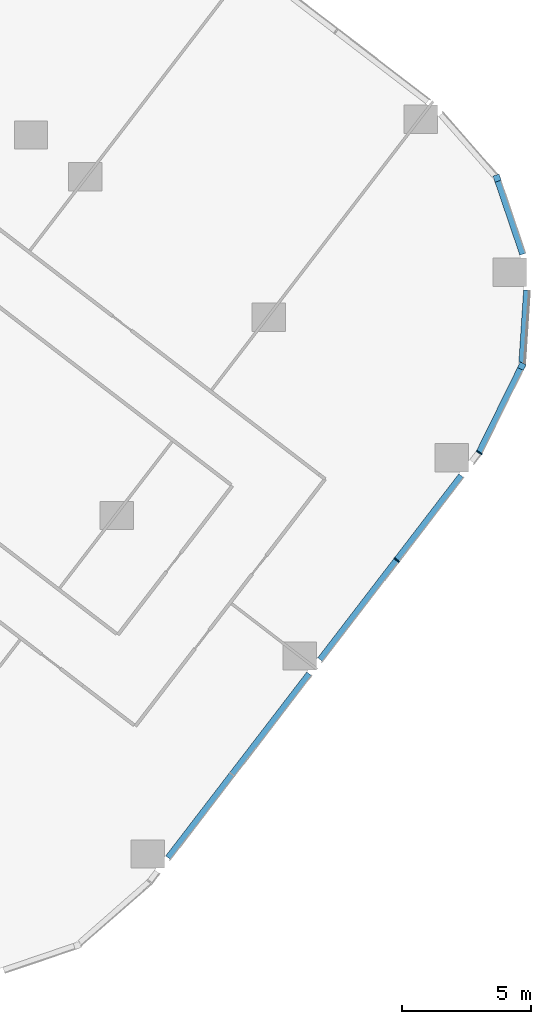
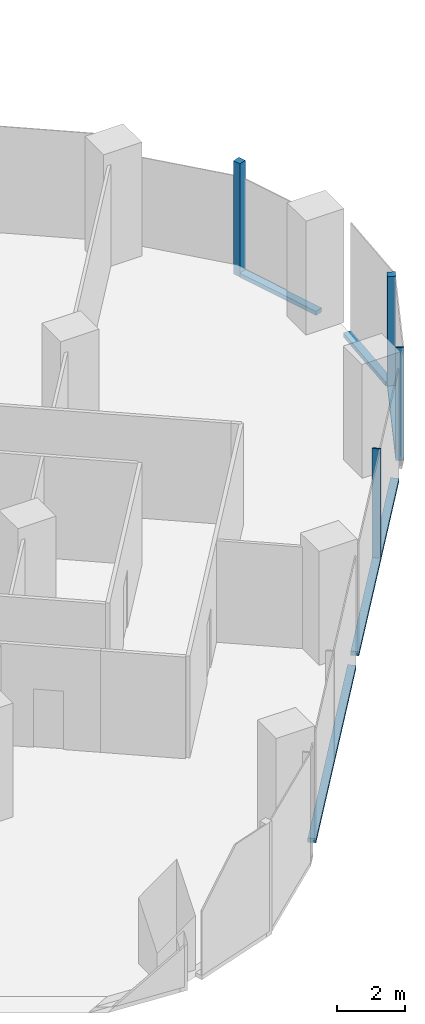
# One storey, part 8 of 29: 9 members, 4 elements without a shape of their own.
"""IFC4 building model written with IfcOpenShell, lengths in metres."""

from ifc_helpers import new_model, si_unit, direction, frame, origin, origin_2d, place, context, subcontext, project, spatial, rectangle, extrude, material, material_profile, profile_set, type_object, element, aggregate, save


model = new_model("IFC4")

# Units and contexts
model_context = context("Model", 3, precision=1e-05, world=origin(), true_north=direction((0.0, 1.0)))
body_context = subcontext(model_context, "Body", "Model", "MODEL_VIEW")
ifc_project = project(units=[si_unit("LENGTHUNIT", "METRE"), si_unit("AREAUNIT", "SQUARE_METRE"), si_unit("VOLUMEUNIT", "CUBIC_METRE"), si_unit("PLANEANGLEUNIT", "RADIAN"), si_unit("MASSUNIT", "GRAM", prefix="KILO")], contexts=[model_context])

# Site, building, storey
site_placement = place(None, origin())
site = spatial("IfcSite", under=ifc_project, at=site_placement, CompositionType="ELEMENT")
building_placement = place(site_placement, origin())
building = spatial("IfcBuilding", under=site, at=building_placement, Name="Orlundy Tower", CompositionType="ELEMENT")
storey_placement = place(building_placement, frame((0.0, 0.0, 29.199951171875)))
storey = spatial("IfcBuildingStorey", under=building, at=storey_placement, Name="L05", CompositionType="ELEMENT", Elevation=29.199951171875)

# Curtain wall, member
ifc_material_1 = material(Name="Aluminium bronze anodised", Category="aluminium")
curtain_wall_type = type_object("IfcCurtainWallType", Name="CW2 wall", PredefinedType="NOTDEFINED", material=ifc_material_1)
curtain_wall_1_placement = place(storey_placement, origin())
curtain_wall_1 = element("IfcCurtainWall", 1, at=curtain_wall_1_placement, inside=storey, type_object=curtain_wall_type, Name="CW2 run 020", PredefinedType="NOTDEFINED")
ifc_material_2 = material(Name="Aluminium bronze anodised", Category="aluminium")
ifc_material_profile_1 = material_profile(ifc_material_2, rectangle(XDim=0.25, YDim=0.25, at=origin_2d()), Name="CW2 corner post 250x250")
ifc_profile_set_1 = profile_set([ifc_material_profile_1], Name="Aluminium bronze anodised")
member_type_1 = type_object("IfcMemberType", Name="CW2 corner post 250x250", PredefinedType="MULLION", material=ifc_profile_set_1)
member_1_placement = place(storey_placement, frame((55.1904296875, -17.9033203125, -0.39990234375), z_axis=(0.0, 0.0, 1.0), x_axis=(0.946887788144, 0.321564171921, 0.0)))
member_1 = element("IfcMember", 2, at=member_1_placement, type_object=member_type_1, Name="CW2 mullion 58", PredefinedType="MULLION", context=body_context, shape_type="SweptSolid", body=[
    extrude(rectangle(XDim=0.25, YDim=0.25, at=origin_2d()), origin(), (0.0, 0.0, 1.0), 4.079833984375),
])

curtain_wall_2_placement = place(storey_placement, origin())
curtain_wall_2 = element("IfcCurtainWall", 3, at=curtain_wall_2_placement, inside=storey, type_object=curtain_wall_type, Name="CW2 run 022", PredefinedType="NOTDEFINED")
member_2_placement = place(storey_placement, frame((56.152099609375, -25.2080078125, -0.39990234375), z_axis=(0.0, 0.0, 1.0), x_axis=(0.896948547323, -0.442134938063, 0.0)))
member_2 = element("IfcMember", 4, at=member_2_placement, type_object=member_type_1, Name="CW2 mullion 60", PredefinedType="MULLION", context=body_context, shape_type="SweptSolid", body=[
    extrude(rectangle(XDim=0.25, YDim=0.25, at=origin_2d()), origin(), (0.0, 0.0, 1.0), 4.079833984375),
])

# Curtain wall, members
curtain_wall_3_placement = place(storey_placement, origin())
curtain_wall_3 = element("IfcCurtainWall", 5, at=curtain_wall_3_placement, inside=storey, type_object=curtain_wall_type, Name="CW2 run 023", PredefinedType="NOTDEFINED")
ifc_material_3 = material(Name="Aluminium bronze anodised", Category="aluminium")
ifc_material_profile_2 = material_profile(ifc_material_3, rectangle(XDim=0.25, YDim=0.050048828125, at=origin_2d()), Name="CW2 mullion 50x250")
ifc_profile_set_2 = profile_set([ifc_material_profile_2], Name="Aluminium bronze anodised")
member_type_2 = type_object("IfcMemberType", Name="CW2 mullion 50x250", PredefinedType="MULLION", material=ifc_profile_set_2)
member_3_placement = place(storey_placement, frame((54.49658203125, -28.56640625, -0.39990234375), z_axis=(0.0, 0.0, 1.0), x_axis=(0.849244125141, -0.528000393858, 0.0)))
member_3 = element("IfcMember", 6, at=member_3_placement, type_object=member_type_2, Name="CW2 mullion 61", PredefinedType="MULLION", context=body_context, shape_type="SweptSolid", body=[
    extrude(rectangle(XDim=0.25, YDim=0.050048828125, at=origin_2d()), origin(), (0.0, 0.0, 1.0), 4.079833984375),
])
member_4_placement = place(storey_placement, frame((51.293212890625, -32.7412109375, -0.39990234375), z_axis=(0.0, 0.0, 1.0), x_axis=(0.793345695949, -0.60877139118, 0.0)))
member_4 = element("IfcMember", 7, at=member_4_placement, type_object=member_type_2, Name="CW2 mullion 62", PredefinedType="MULLION", context=body_context, shape_type="SweptSolid", body=[
    extrude(rectangle(XDim=0.25, YDim=0.050048828125, at=origin_2d()), origin(), (0.0, 0.0, 1.0), 4.079833984375),
])

# Member
ifc_material_4 = material(Name="Aluminium bronze anodised", Category="aluminium")
ifc_material_profile_3 = material_profile(ifc_material_4, rectangle(XDim=0.25, YDim=0.14990234375, at=origin_2d()), Name="CW2 transom 250x150")
ifc_profile_set_3 = profile_set([ifc_material_profile_3], Name="Aluminium bronze anodised")
member_type_3 = type_object("IfcMemberType", Name="CW2 transom 250x150", PredefinedType="USERDEFINED", material=ifc_profile_set_3)
member_5_placement = place(storey_placement, frame((55.23046875, -18.021728515625, -0.324951171875), z_axis=(0.321632114973, -0.946864711888, 0.0), x_axis=(0.946864711888, 0.321632114973, 0.0)))
member_5 = element("IfcMember", 8, at=member_5_placement, type_object=member_type_3, Name="CW2 transom", ObjectType="TRANSOM", PredefinedType="USERDEFINED", context=body_context, shape_type="SweptSolid", body=[
    extrude(rectangle(XDim=0.25, YDim=0.14990234375, at=origin_2d()), origin(), (0.0, 0.0, 1.0), 2.9921875),
])

aggregate(curtain_wall_1, [member_1, member_5])

# Curtain wall, member
curtain_wall_4_placement = place(storey_placement, origin())
curtain_wall_4 = element("IfcCurtainWall", 9, at=curtain_wall_4_placement, inside=storey, type_object=curtain_wall_type, Name="CW2 run 021", PredefinedType="NOTDEFINED")
member_6_placement = place(storey_placement, frame((56.34619140625, -22.2548828125, -0.324951171875), z_axis=(-0.065612448488, -0.997845181681, 0.0), x_axis=(0.997845181681, -0.065612448488, 0.0)))
member_6 = element("IfcMember", 10, at=member_6_placement, type_object=member_type_3, Name="CW2 transom", ObjectType="TRANSOM", PredefinedType="USERDEFINED", context=body_context, shape_type="SweptSolid", body=[
    extrude(rectangle(XDim=0.25, YDim=0.14990234375, at=origin_2d()), origin(), (0.0, 0.0, 1.0), 2.82421875),
])
aggregate(curtain_wall_4, [member_6])

# Member
member_7_placement = place(storey_placement, frame((56.096923828125, -25.320068359375, -0.324951171875), z_axis=(-0.442152508269, -0.896939886186, 0.0), x_axis=(0.896939886186, -0.442152508269, 0.0)))
member_7 = element("IfcMember", 11, at=member_7_placement, type_object=member_type_3, Name="CW2 transom", ObjectType="TRANSOM", PredefinedType="USERDEFINED", context=body_context, shape_type="SweptSolid", body=[
    extrude(rectangle(XDim=0.25, YDim=0.14990234375, at=origin_2d()), origin(), (0.0, 0.0, 1.0), 3.593994140625),
])

aggregate(curtain_wall_2, [member_2, member_7])

member_8_placement = place(storey_placement, frame((53.803955078125, -29.468994140625, -0.324951171875), z_axis=(-0.608769580289, -0.793347085527, 0.0), x_axis=(0.793347085527, -0.608769580289, 0.0)))
member_8 = element("IfcMember", 12, at=member_8_placement, type_object=member_type_3, Name="CW2 transom", ObjectType="TRANSOM", PredefinedType="USERDEFINED", context=body_context, shape_type="SweptSolid", body=[
    extrude(rectangle(XDim=0.25, YDim=0.14990234375, at=origin_2d()), origin(), (0.0, 0.0, 1.0), 9.0048828125),
])

member_9_placement = place(storey_placement, frame((47.8984375, -37.1650390625, -0.324951171875), z_axis=(-0.608774734676, -0.793343130317, 0.0), x_axis=(0.793343130317, -0.608774734676, 0.0)))
member_9 = element("IfcMember", 13, at=member_9_placement, type_object=member_type_3, Name="CW2 transom", ObjectType="TRANSOM", PredefinedType="USERDEFINED", context=body_context, shape_type="SweptSolid", body=[
    extrude(rectangle(XDim=0.25, YDim=0.14990234375, at=origin_2d()), origin(), (0.0, 0.0, 1.0), 9.004150390625),
])

aggregate(curtain_wall_3, [member_3, member_4, member_8, member_9])

save(model, "model.ifc")
